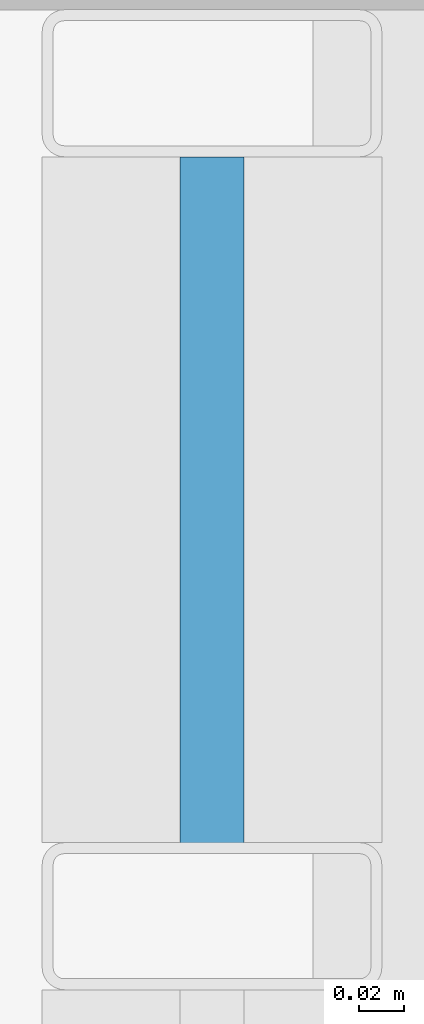
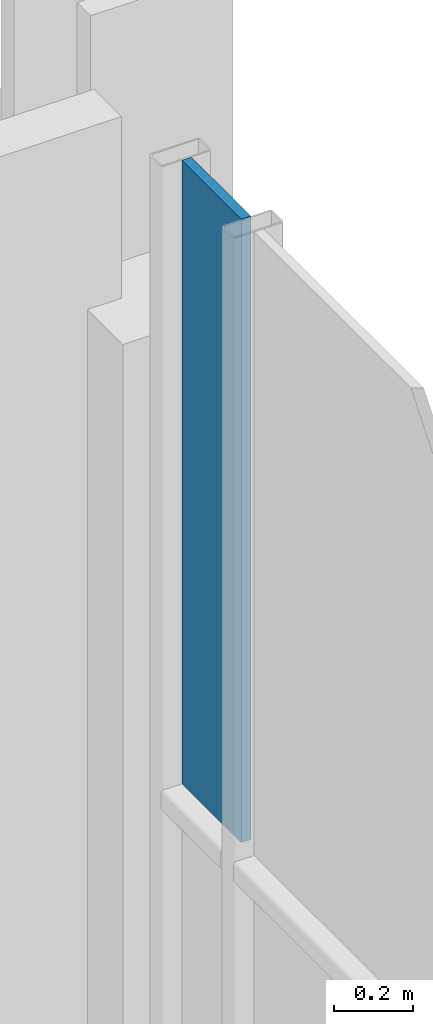
# One storey, part 28 of 41: 1 plate, 1 element without a shape of its own.
"""IFC4 building model written with IfcOpenShell, lengths in metres."""

from ifc_helpers import new_model, si_unit, direction, frame, origin, origin_2d, place, context, subcontext, project, spatial, rectangle, extrude, material, layer, layer_set, type_object, element, aggregate, save


model = new_model("IFC4")

# Units and contexts
model_context = context("Model", 3, precision=1e-05, world=origin(), true_north=direction((0.0, 1.0)))
body_context = subcontext(model_context, "Body", "Model", "MODEL_VIEW")
ifc_project = project(units=[si_unit("LENGTHUNIT", "METRE"), si_unit("AREAUNIT", "SQUARE_METRE"), si_unit("VOLUMEUNIT", "CUBIC_METRE"), si_unit("PLANEANGLEUNIT", "RADIAN"), si_unit("MASSUNIT", "GRAM", prefix="KILO")], contexts=[model_context])

# Site, building, storey
site_placement = place(None, origin())
site = spatial("IfcSite", under=ifc_project, at=site_placement, CompositionType="ELEMENT")
building_placement = place(site_placement, origin())
building = spatial("IfcBuilding", under=site, at=building_placement, Name="Brevholm Reach", CompositionType="ELEMENT")
storey_placement = place(building_placement, frame((0.0, 0.0, 68.300048828125)))
storey = spatial("IfcBuildingStorey", under=building, at=storey_placement, Name="L19", CompositionType="ELEMENT", Elevation=68.300048828125)

# Curtain wall, plate
ifc_material_1 = material(Name="Dark Anodised Aluminium 6063-T6 and Solar-Control Glass", Category="aluminium")
ifc_layer_1 = layer(ifc_material_1, 0.14990234375)
ifc_layer_set_1 = layer_set([ifc_layer_1], Name="Dark Anodised Aluminium 6063-T6 and Solar-Control Glass")
curtain_wall_type = type_object("IfcCurtainWallType", Name="CW-01", PredefinedType="NOTDEFINED", material=ifc_layer_set_1)
curtain_wall_placement = place(storey_placement, origin())
curtain_wall = element("IfcCurtainWall", 1, at=curtain_wall_placement, inside=storey, type_object=curtain_wall_type, Name="L19 Curtain Wall CW-01", PredefinedType="NOTDEFINED")
ifc_material_2 = material(Name="Dark Solar-Control Double-Glazed IGU Glass", Category="glass")
ifc_layer_2 = layer(ifc_material_2, 0.028076171875)
ifc_layer_set_2 = layer_set([ifc_layer_2], Name="Dark Solar-Control Double-Glazed IGU Glass")
plate_type = type_object("IfcPlateType", Name="CWP-GLZ-28", PredefinedType="CURTAIN_PANEL", material=ifc_layer_set_2)
plate_placement = place(storey_placement, frame((59.85009765625, 22.733642578125, 0.932373046875), z_axis=(0.0, 0.0, 1.0), x_axis=(0.0, 1.0, 0.0)))
plate = element("IfcPlate", 2, at=plate_placement, type_object=plate_type, Name="CP-01 Glazing Panel 5.2", PredefinedType="CURTAIN_PANEL", context=body_context, shape_type="SweptSolid", body=[
    extrude(rectangle(XDim=0.302490234375, YDim=0.028076171875, at=origin_2d()), origin(), (0.0, 0.0, 1.0), 1.9375),
])
aggregate(curtain_wall, [plate])

save(model, "model.ifc")
